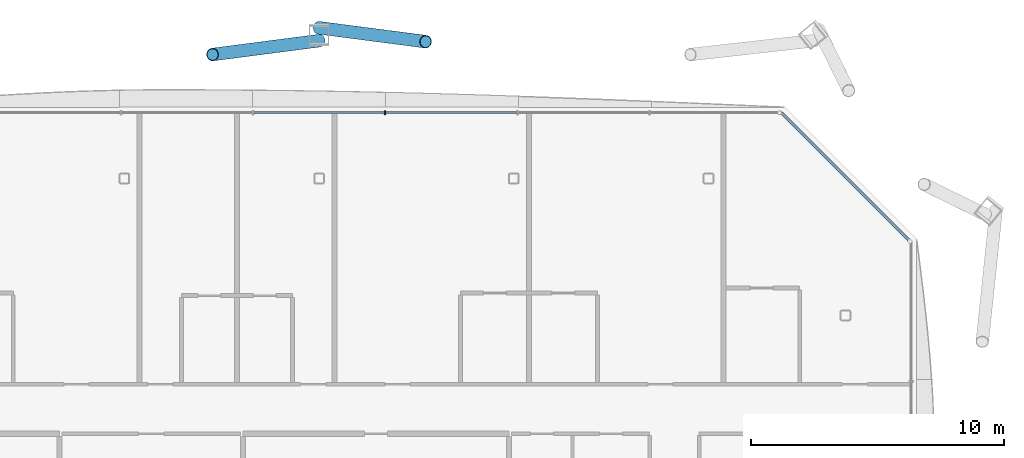
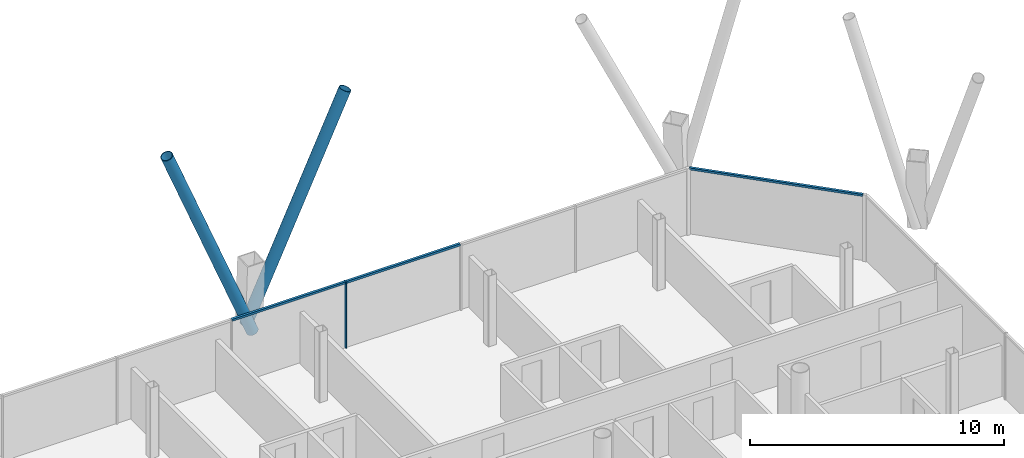
# One storey, part 10 of 22: 6 members, 2 elements without a shape of their own.
"""IFC4 building model written with IfcOpenShell, lengths in metres."""

from ifc_helpers import new_model, si_unit, direction, frame, origin, origin_2d, place, context, subcontext, project, spatial, rectangle, hollow_circle, extrude, material, material_profile, profile_set, type_object, element, aggregate, save


model = new_model("IFC4")

# Units and contexts
model_context = context("Model", 3, precision=1e-05, world=origin(), true_north=direction((0.0, 1.0)))
body_context = subcontext(model_context, "Body", "Model", "MODEL_VIEW")
ifc_project = project(units=[si_unit("LENGTHUNIT", "METRE"), si_unit("AREAUNIT", "SQUARE_METRE"), si_unit("VOLUMEUNIT", "CUBIC_METRE"), si_unit("PLANEANGLEUNIT", "RADIAN"), si_unit("MASSUNIT", "GRAM", prefix="KILO")], contexts=[model_context])

# Site, building, storey
site_placement = place(None, origin())
site = spatial("IfcSite", under=ifc_project, at=site_placement, CompositionType="ELEMENT")
building_placement = place(site_placement, origin())
building = spatial("IfcBuilding", under=site, at=building_placement, Name="Tskaro Facet Tower", CompositionType="ELEMENT")
storey_placement = place(building_placement, frame((0.0, 0.0, 121.5)))
storey = spatial("IfcBuildingStorey", under=building, at=storey_placement, Name="L28", CompositionType="ELEMENT", Elevation=121.5)

# Members
ifc_material_1 = material(Name="Steel S355J2H", Category="steel")
ifc_material_profile_1 = material_profile(ifc_material_1, hollow_circle(Radius=0.25390625, WallThickness=0.02490234375, at=origin_2d()), Name="CHS 508x25")
ifc_profile_set_1 = profile_set([ifc_material_profile_1], Name="Steel S355J2H")
member_type_1 = type_object("IfcMemberType", Name="CHS 508x25 brace", PredefinedType="BRACE", material=ifc_profile_set_1)
for number, where, z_axis, x_axis, name in (
    (1, (3.0, 26.720947265625, 0.0), (0.380657351242, -0.049574083425, 0.923386371568), (0.129142268384, 0.991626075956, 0.0), "CHS 508x25 XB07B/3"),
    (2, (3.0, 26.212890625, 0.0), (-0.380657351242, -0.049574083425, 0.923386371568), (0.129142268384, -0.991626075956, 0.0), "CHS 508x25 XB08A/3"),
):
    element("IfcMember", number, at=place(storey_placement, frame(where, z_axis=z_axis, x_axis=x_axis)), inside=storey, type_object=member_type_1, Name=name, PredefinedType="BRACE", context=body_context, shape_type="SweptSolid", body=[
        extrude(hollow_circle(Radius=0.25390625, WallThickness=0.02490234375, at=origin_2d()), origin(), (0.0, 0.0, 1.0), 11.046142578125),
    ])

# Curtain wall, member
ifc_material_2 = material(Name="Bronze anodised aluminium 6063-T6", Category="aluminium")
curtain_wall_type = type_object("IfcCurtainWallType", Name="Bronze hotel curtain wall (FW2)", PredefinedType="NOTDEFINED", material=ifc_material_2)
curtain_wall_1_placement = place(storey_placement, origin())
curtain_wall_1 = element("IfcCurtainWall", 3, at=curtain_wall_1_placement, inside=storey, type_object=curtain_wall_type, Name="FW2 north facet L28", PredefinedType="NOTDEFINED")
ifc_material_profile_2 = material_profile(ifc_material_2, rectangle(XDim=0.06005859375, YDim=0.14990234375, at=origin_2d()), Name="Mullion 60x150")
ifc_profile_set_2 = profile_set([ifc_material_profile_2], Name="Bronze anodised aluminium 6063-T6")
member_type_2 = type_object("IfcMemberType", Name="FW2 bronze mullion 60x150", PredefinedType="MULLION", material=ifc_profile_set_2)
member_1_placement = place(storey_placement, frame((5.607666015625, 23.366943359375, 0.0), z_axis=(0.0, 0.0, 1.0), x_axis=(-1.0, 0.0, 0.0)))
member_1 = element("IfcMember", 4, at=member_1_placement, type_object=member_type_2, Name="FW2 north mullion 3", PredefinedType="MULLION", context=body_context, shape_type="SweptSolid", body=[
    extrude(rectangle(XDim=0.06005859375, YDim=0.14990234375, at=origin_2d()), origin(), (0.0, 0.0, 1.0), 3.199951171875),
])

curtain_wall_2_placement = place(storey_placement, origin())
curtain_wall_2 = element("IfcCurtainWall", 5, at=curtain_wall_2_placement, inside=storey, type_object=curtain_wall_type, Name="FW2 north-east facet L28", PredefinedType="NOTDEFINED")
ifc_material_profile_3 = material_profile(ifc_material_2, rectangle(XDim=0.110107421875, YDim=0.10009765625, at=origin_2d()), Name="Transom 110x100")
ifc_profile_set_3 = profile_set([ifc_material_profile_3], Name="Bronze anodised aluminium 6063-T6")
member_type_3 = type_object("IfcMemberType", Name="FW2 bronze transom 110x100", PredefinedType="USERDEFINED", material=ifc_profile_set_3)
member_2_placement = place(storey_placement, frame((26.260986328125, 18.359130859375, 3.14990234375), z_axis=(-0.707124016974, 0.707089544979, 0.0), x_axis=(-0.707089544979, -0.707124016974, 0.0)))
member_2 = element("IfcMember", 6, at=member_2_placement, type_object=member_type_3, Name="FW2 north-east transom 1.1", ObjectType="TRANSOM", PredefinedType="USERDEFINED", context=body_context, shape_type="SweptSolid", body=[
    extrude(rectangle(XDim=0.110107421875, YDim=0.10009765625, at=origin_2d()), origin(), (0.0, 0.0, 1.0), 7.082275390625),
])
aggregate(curtain_wall_2, [member_2])

# Member
member_3_placement = place(storey_placement, frame((10.792724609375, 23.366943359375, 3.14990234375), z_axis=(-1.0, 0.0, 0.0), x_axis=(0.0, -1.0, 0.0)))
member_3 = element("IfcMember", 7, at=member_3_placement, type_object=member_type_3, Name="FW2 north transom 3.1", ObjectType="TRANSOM", PredefinedType="USERDEFINED", context=body_context, shape_type="SweptSolid", body=[
    extrude(rectangle(XDim=0.110107421875, YDim=0.10009765625, at=origin_2d()), origin(), (0.0, 0.0, 1.0), 5.1552734375),
])

member_4_placement = place(storey_placement, frame((5.57763671875, 23.366943359375, 3.14990234375), z_axis=(-1.0, 0.0, 0.0), x_axis=(0.0, -1.0, 0.0)))
member_4 = element("IfcMember", 8, at=member_4_placement, type_object=member_type_3, Name="FW2 north transom 4.1", ObjectType="TRANSOM", PredefinedType="USERDEFINED", context=body_context, shape_type="SweptSolid", body=[
    extrude(rectangle(XDim=0.110107421875, YDim=0.10009765625, at=origin_2d()), origin(), (0.0, 0.0, 1.0), 5.1552734375),
])

aggregate(curtain_wall_1, [member_1, member_3, member_4])

save(model, "model.ifc")
